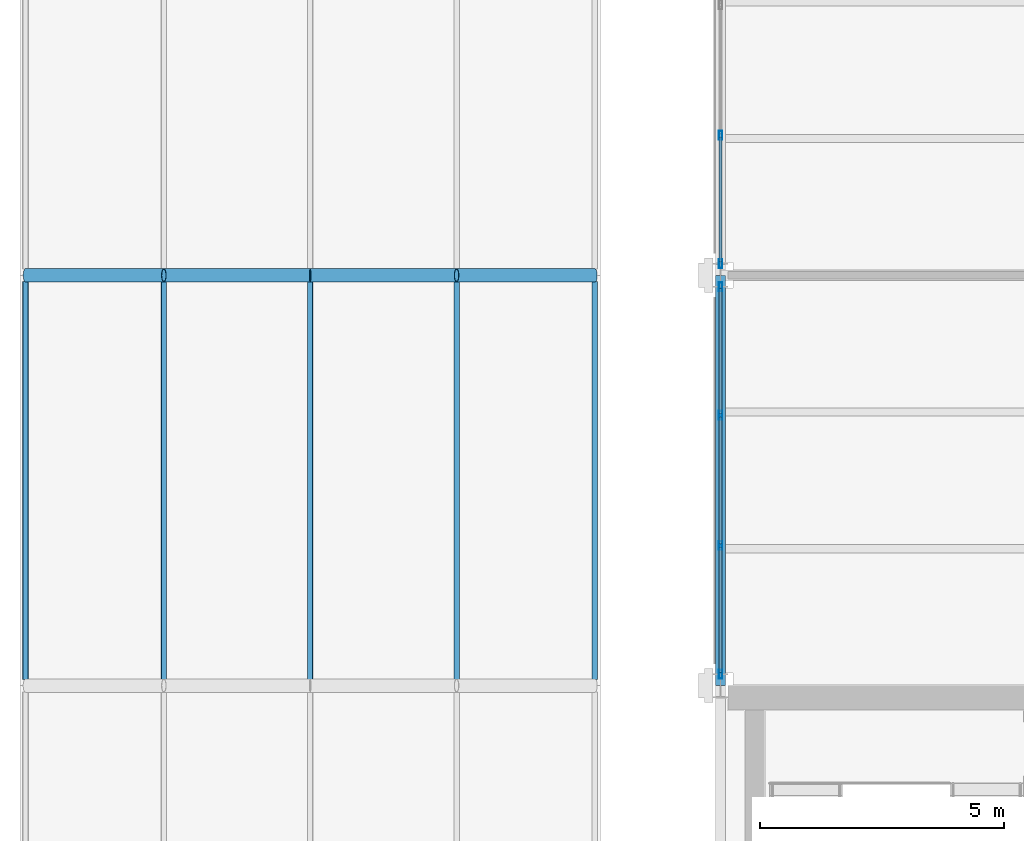
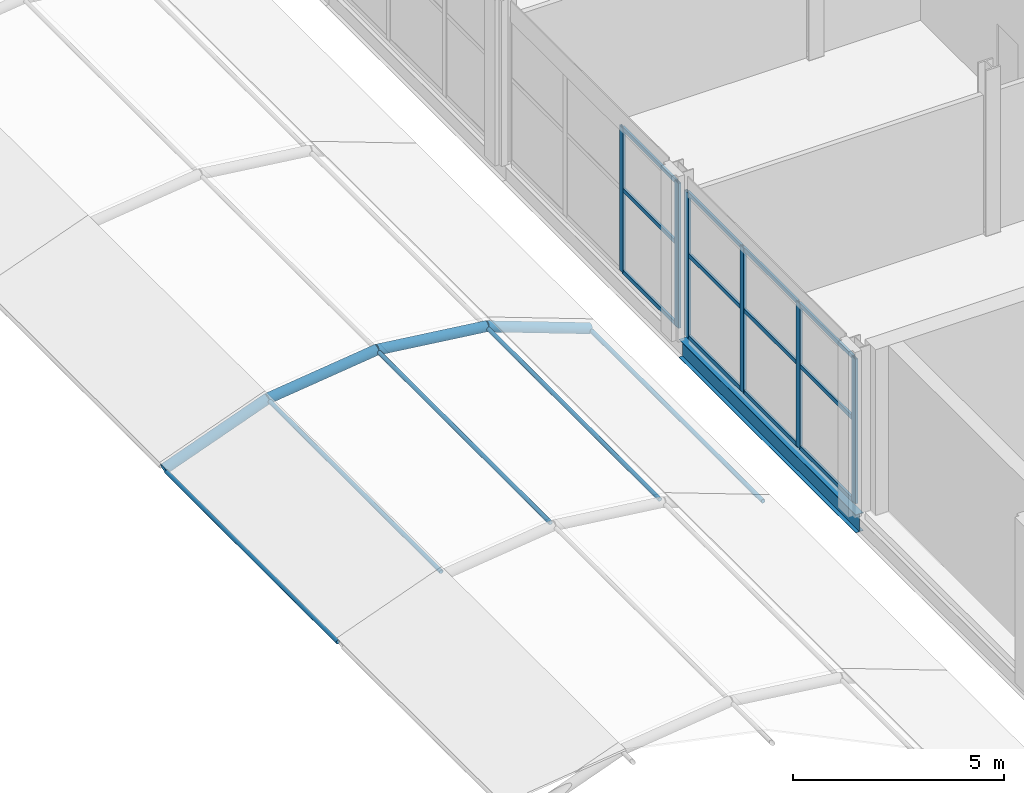
# One storey, part 118 of 167: 27 members, 1 beam, 2 elements without a shape of their own.
"""IFC4 building model written with IfcOpenShell, lengths in metres."""

from ifc_helpers import new_model, si_unit, direction, frame, origin, origin_2d, place, context, subcontext, project, spatial, hollow_rectangle, hollow_circle, i_section, extrude, material, material_profile, profile_set, type_object, element, aggregate, save


model = new_model("IFC4")

# Units and contexts
model_context = context("Model", 3, precision=1e-05, world=origin(), true_north=direction((0.0, 1.0)))
body_context = subcontext(model_context, "Body", "Model", "MODEL_VIEW")
ifc_project = project(units=[si_unit("LENGTHUNIT", "METRE"), si_unit("AREAUNIT", "SQUARE_METRE"), si_unit("VOLUMEUNIT", "CUBIC_METRE"), si_unit("PLANEANGLEUNIT", "RADIAN"), si_unit("MASSUNIT", "GRAM", prefix="KILO")], contexts=[model_context])

# Site, building, storey
site_placement = place(None, origin())
site = spatial("IfcSite", under=ifc_project, at=site_placement, CompositionType="ELEMENT")
building_placement = place(site_placement, origin())
building = spatial("IfcBuilding", under=site, at=building_placement, Name="Catenary Quay Ferry Terminal", CompositionType="ELEMENT")
storey_placement = place(building_placement, frame((0.0, 0.0, 6.0)))
storey = spatial("IfcBuildingStorey", under=building, at=storey_placement, Name="L01", CompositionType="ELEMENT", Elevation=6.0)

# Beam
ifc_material_1 = material(Name="Steel S355", Category="steel")
ifc_material_profile_1 = material_profile(ifc_material_1, i_section(OverallWidth=0.208740234375, OverallDepth=0.5283203125, WebThickness=0.009521484375, FlangeThickness=0.01318359375, at=origin_2d()), Name="UB 533x210x82")
ifc_profile_set_1 = profile_set([ifc_material_profile_1], Name="Steel S355")
beam_type = type_object("IfcBeamType", Name="B5 UB 533x210x82", PredefinedType="BEAM", material=ifc_profile_set_1)
beam_placement = place(storey_placement, frame((25.199951171875, 168.0, -0.464111328125), z_axis=(0.0, 1.0, 0.0), x_axis=(-1.0, 0.0, 0.0)))
element("IfcBeam", 1, at=beam_placement, inside=storey, type_object=beam_type, Name="Beam B5-023", PredefinedType="BEAM", context=body_context, shape_type="SweptSolid", body=[
    extrude(i_section(OverallWidth=0.208740234375, OverallDepth=0.5283203125, WebThickness=0.009521484375, FlangeThickness=0.01318359375, at=origin_2d()), origin(), (0.0, 0.0, 1.0), 8.39990234375),
])

# Curtain wall, members
ifc_material_2 = material(Name="Aluminium and glass", Category="aluminium")
curtain_wall_type = type_object("IfcCurtainWallType", Name="CWW2", PredefinedType="NOTDEFINED", material=ifc_material_2)
curtain_wall_1_placement = place(storey_placement, origin())
curtain_wall_1 = element("IfcCurtainWall", 2, at=curtain_wall_1_placement, inside=storey, type_object=curtain_wall_type, Name="Wing curtain wall CW124", PredefinedType="NOTDEFINED")
ifc_material_3 = material(Name="Aluminium", Category="aluminium")
ifc_material_profile_2 = material_profile(ifc_material_3, hollow_rectangle(XDim=0.070068359375, YDim=0.179931640625, WallThickness=0.006103515625, at=origin_2d()), Name="MU3")
ifc_profile_set_2 = profile_set([ifc_material_profile_2], Name="Aluminium")
member_type_1 = type_object("IfcMemberType", Name="MU3", PredefinedType="MULLION", material=ifc_profile_set_2)
member_1_placement = place(storey_placement, frame((25.199951171875, 168.235107421875, 0.0), z_axis=(0.0, 0.0, 1.0), x_axis=(-1.0, 0.0, 0.0)))
member_1 = element("IfcMember", 3, at=member_1_placement, type_object=member_type_1, Name="CW124 mullion 1", PredefinedType="MULLION", context=body_context, shape_type="SweptSolid", body=[
    extrude(hollow_rectangle(XDim=0.070068359375, YDim=0.179931640625, WallThickness=0.006103515625, at=origin_2d()), origin(), (0.0, 0.0, 1.0), 4.199951171875),
])
member_2_placement = place(storey_placement, frame((25.199951171875, 170.86669921875, 0.0), z_axis=(0.0, 0.0, 1.0), x_axis=(-1.0, 0.0, 0.0)))
member_2 = element("IfcMember", 4, at=member_2_placement, type_object=member_type_1, Name="CW124 mullion 2", PredefinedType="MULLION", context=body_context, shape_type="SweptSolid", body=[
    extrude(hollow_rectangle(XDim=0.070068359375, YDim=0.179931640625, WallThickness=0.006103515625, at=origin_2d()), origin(), (0.0, 0.0, 1.0), 4.199951171875),
])
member_3_placement = place(storey_placement, frame((25.199951171875, 173.533447265625, 0.0), z_axis=(0.0, 0.0, 1.0), x_axis=(-1.0, 0.0, 0.0)))
member_3 = element("IfcMember", 5, at=member_3_placement, type_object=member_type_1, Name="CW124 mullion 3", PredefinedType="MULLION", context=body_context, shape_type="SweptSolid", body=[
    extrude(hollow_rectangle(XDim=0.070068359375, YDim=0.179931640625, WallThickness=0.006103515625, at=origin_2d()), origin(), (0.0, 0.0, 1.0), 4.199951171875),
])
member_4_placement = place(storey_placement, frame((25.199951171875, 176.1650390625, 0.0), z_axis=(0.0, 0.0, 1.0), x_axis=(-1.0, 0.0, 0.0)))
member_4 = element("IfcMember", 6, at=member_4_placement, type_object=member_type_1, Name="CW124 mullion 4", PredefinedType="MULLION", context=body_context, shape_type="SweptSolid", body=[
    extrude(hollow_rectangle(XDim=0.070068359375, YDim=0.179931640625, WallThickness=0.006103515625, at=origin_2d()), origin(), (0.0, 0.0, 1.0), 4.199951171875),
])

curtain_wall_2_placement = place(storey_placement, origin())
curtain_wall_2 = element("IfcCurtainWall", 7, at=curtain_wall_2_placement, inside=storey, type_object=curtain_wall_type, Name="Wing curtain wall CW125", PredefinedType="NOTDEFINED")
member_5_placement = place(storey_placement, frame((25.199951171875, 176.635009765625, 0.0), z_axis=(0.0, 0.0, 1.0), x_axis=(-1.0, 0.0, 0.0)))
member_5 = element("IfcMember", 8, at=member_5_placement, type_object=member_type_1, Name="CW125 mullion 1", PredefinedType="MULLION", context=body_context, shape_type="SweptSolid", body=[
    extrude(hollow_rectangle(XDim=0.070068359375, YDim=0.179931640625, WallThickness=0.006103515625, at=origin_2d()), origin(), (0.0, 0.0, 1.0), 4.199951171875),
])
member_6_placement = place(storey_placement, frame((25.199951171875, 179.2666015625, 0.0), z_axis=(0.0, 0.0, 1.0), x_axis=(-1.0, 0.0, 0.0)))
member_6 = element("IfcMember", 9, at=member_6_placement, type_object=member_type_1, Name="CW125 mullion 2", PredefinedType="MULLION", context=body_context, shape_type="SweptSolid", body=[
    extrude(hollow_rectangle(XDim=0.070068359375, YDim=0.179931640625, WallThickness=0.006103515625, at=origin_2d()), origin(), (0.0, 0.0, 1.0), 4.199951171875),
])

# Members
ifc_material_4 = material(Name="Steel S355", Category="steel")
ifc_material_profile_3 = material_profile(ifc_material_4, hollow_circle(Radius=0.05712890625, WallThickness=0.00634765625, at=origin_2d()), Name="CHS 114.3x6.3")
ifc_profile_set_3 = profile_set([ifc_material_profile_3], Name="Steel S355")
member_type_2 = type_object("IfcMemberType", Name="PU2 CHS 114.3x6.3", PredefinedType="PURLIN", material=ifc_profile_set_3)
for number, where, z_axis, x_axis, name in (
    (10, (10.970947265625, 168.1298828125, 0.98388671875), (0.0, 1.0, 0.0), (-1.0, 0.0, 0.0), "Purlin PU-FC-13-01"),
    (11, (13.802978515625, 168.1298828125, 2.031005859375), (0.0, 1.0, 0.0), (-1.0, 0.0, 0.0), "Purlin PU-FC-13-02"),
    (12, (16.800048828125, 168.1298828125, 2.39990234375), (0.0, 1.0, 0.0), (-1.0, 0.0, 0.0), "Purlin PU-FC-13-03"),
    (13, (19.797119140625, 168.1298828125, 2.031005859375), (0.0, 1.0, 0.0), (-1.0, 0.0, 0.0), "Purlin PU-FC-13-04"),
    (14, (22.62890625, 168.1298828125, 0.98388671875), (0.0, 1.0, 0.0), (-1.0, 0.0, 0.0), "Purlin PU-FC-13-05"),
):
    element("IfcMember", number, at=place(storey_placement, frame(where, z_axis=z_axis, x_axis=x_axis)), inside=storey, type_object=member_type_2, Name=name, PredefinedType="PURLIN", context=body_context, shape_type="SweptSolid", body=[
        extrude(hollow_circle(Radius=0.05712890625, WallThickness=0.00634765625, at=origin_2d()), origin(), (0.0, 0.0, 1.0), 8.14013671875),
    ])

# Member
ifc_material_5 = material(Name="Aluminium", Category="aluminium")
ifc_material_profile_4 = material_profile(ifc_material_5, hollow_rectangle(XDim=0.06005859375, YDim=0.1201171875, WallThickness=0.0048828125, at=origin_2d()), Name="TR3")
ifc_profile_set_4 = profile_set([ifc_material_profile_4], Name="Aluminium")
member_type_3 = type_object("IfcMemberType", Name="TR3", PredefinedType="USERDEFINED", material=ifc_profile_set_4)
member_7_placement = place(storey_placement, frame((25.199951171875, 168.27001953125, 0.030029296875), z_axis=(0.0, 1.0, 0.0), x_axis=(-1.0, 0.0, 0.0)))
member_7 = element("IfcMember", 15, at=member_7_placement, type_object=member_type_3, Name="CW124 transom 1.1", ObjectType="TRANSOM", PredefinedType="USERDEFINED", context=body_context, shape_type="SweptSolid", body=[
    extrude(hollow_rectangle(XDim=0.06005859375, YDim=0.1201171875, WallThickness=0.0048828125, at=origin_2d()), origin(), (0.0, 0.0, 1.0), 2.561767578125),
])

member_8_placement = place(storey_placement, frame((25.199951171875, 168.27001953125, 2.39990234375), z_axis=(0.0, 1.0, 0.0), x_axis=(-1.0, 0.0, 0.0)))
member_8 = element("IfcMember", 16, at=member_8_placement, type_object=member_type_3, Name="CW124 transom 1.2", ObjectType="TRANSOM", PredefinedType="USERDEFINED", context=body_context, shape_type="SweptSolid", body=[
    extrude(hollow_rectangle(XDim=0.06005859375, YDim=0.1201171875, WallThickness=0.0048828125, at=origin_2d()), origin(), (0.0, 0.0, 1.0), 2.561767578125),
])

member_9_placement = place(storey_placement, frame((25.199951171875, 168.27001953125, 4.169921875), z_axis=(0.0, 1.0, 0.0), x_axis=(-1.0, 0.0, 0.0)))
member_9 = element("IfcMember", 17, at=member_9_placement, type_object=member_type_3, Name="CW124 transom 1.3", ObjectType="TRANSOM", PredefinedType="USERDEFINED", context=body_context, shape_type="SweptSolid", body=[
    extrude(hollow_rectangle(XDim=0.06005859375, YDim=0.1201171875, WallThickness=0.0048828125, at=origin_2d()), origin(), (0.0, 0.0, 1.0), 2.561767578125),
])

member_10_placement = place(storey_placement, frame((25.199951171875, 170.901611328125, 0.030029296875), z_axis=(0.0, 1.0, 0.0), x_axis=(-1.0, 0.0, 0.0)))
member_10 = element("IfcMember", 18, at=member_10_placement, type_object=member_type_3, Name="CW124 transom 2.1", ObjectType="TRANSOM", PredefinedType="USERDEFINED", context=body_context, shape_type="SweptSolid", body=[
    extrude(hollow_rectangle(XDim=0.06005859375, YDim=0.1201171875, WallThickness=0.0048828125, at=origin_2d()), origin(), (0.0, 0.0, 1.0), 2.5966796875),
])

member_11_placement = place(storey_placement, frame((25.199951171875, 170.901611328125, 2.39990234375), z_axis=(0.0, 1.0, 0.0), x_axis=(-1.0, 0.0, 0.0)))
member_11 = element("IfcMember", 19, at=member_11_placement, type_object=member_type_3, Name="CW124 transom 2.2", ObjectType="TRANSOM", PredefinedType="USERDEFINED", context=body_context, shape_type="SweptSolid", body=[
    extrude(hollow_rectangle(XDim=0.06005859375, YDim=0.1201171875, WallThickness=0.0048828125, at=origin_2d()), origin(), (0.0, 0.0, 1.0), 2.5966796875),
])

member_12_placement = place(storey_placement, frame((25.199951171875, 170.901611328125, 4.169921875), z_axis=(0.0, 1.0, 0.0), x_axis=(-1.0, 0.0, 0.0)))
member_12 = element("IfcMember", 20, at=member_12_placement, type_object=member_type_3, Name="CW124 transom 2.3", ObjectType="TRANSOM", PredefinedType="USERDEFINED", context=body_context, shape_type="SweptSolid", body=[
    extrude(hollow_rectangle(XDim=0.06005859375, YDim=0.1201171875, WallThickness=0.0048828125, at=origin_2d()), origin(), (0.0, 0.0, 1.0), 2.5966796875),
])

member_13_placement = place(storey_placement, frame((25.199951171875, 173.568359375, 0.030029296875), z_axis=(0.0, 1.0, 0.0), x_axis=(-1.0, 0.0, 0.0)))
member_13 = element("IfcMember", 21, at=member_13_placement, type_object=member_type_3, Name="CW124 transom 3.1", ObjectType="TRANSOM", PredefinedType="USERDEFINED", context=body_context, shape_type="SweptSolid", body=[
    extrude(hollow_rectangle(XDim=0.06005859375, YDim=0.1201171875, WallThickness=0.0048828125, at=origin_2d()), origin(), (0.0, 0.0, 1.0), 2.5615234375),
])

member_14_placement = place(storey_placement, frame((25.199951171875, 173.568359375, 2.39990234375), z_axis=(0.0, 1.0, 0.0), x_axis=(-1.0, 0.0, 0.0)))
member_14 = element("IfcMember", 22, at=member_14_placement, type_object=member_type_3, Name="CW124 transom 3.2", ObjectType="TRANSOM", PredefinedType="USERDEFINED", context=body_context, shape_type="SweptSolid", body=[
    extrude(hollow_rectangle(XDim=0.06005859375, YDim=0.1201171875, WallThickness=0.0048828125, at=origin_2d()), origin(), (0.0, 0.0, 1.0), 2.5615234375),
])

member_15_placement = place(storey_placement, frame((25.199951171875, 173.568359375, 4.169921875), z_axis=(0.0, 1.0, 0.0), x_axis=(-1.0, 0.0, 0.0)))
member_15 = element("IfcMember", 23, at=member_15_placement, type_object=member_type_3, Name="CW124 transom 3.3", ObjectType="TRANSOM", PredefinedType="USERDEFINED", context=body_context, shape_type="SweptSolid", body=[
    extrude(hollow_rectangle(XDim=0.06005859375, YDim=0.1201171875, WallThickness=0.0048828125, at=origin_2d()), origin(), (0.0, 0.0, 1.0), 2.5615234375),
])

aggregate(curtain_wall_1, [member_1, member_2, member_3, member_4, member_7, member_8, member_9, member_10, member_11, member_12, member_13, member_14, member_15])

member_16_placement = place(storey_placement, frame((25.199951171875, 176.669921875, 0.030029296875), z_axis=(0.0, 1.0, 0.0), x_axis=(-1.0, 0.0, 0.0)))
member_16 = element("IfcMember", 24, at=member_16_placement, type_object=member_type_3, Name="CW125 transom 1.1", ObjectType="TRANSOM", PredefinedType="USERDEFINED", context=body_context, shape_type="SweptSolid", body=[
    extrude(hollow_rectangle(XDim=0.06005859375, YDim=0.1201171875, WallThickness=0.0048828125, at=origin_2d()), origin(), (0.0, 0.0, 1.0), 2.561767578125),
])

member_17_placement = place(storey_placement, frame((25.199951171875, 176.669921875, 2.39990234375), z_axis=(0.0, 1.0, 0.0), x_axis=(-1.0, 0.0, 0.0)))
member_17 = element("IfcMember", 25, at=member_17_placement, type_object=member_type_3, Name="CW125 transom 1.2", ObjectType="TRANSOM", PredefinedType="USERDEFINED", context=body_context, shape_type="SweptSolid", body=[
    extrude(hollow_rectangle(XDim=0.06005859375, YDim=0.1201171875, WallThickness=0.0048828125, at=origin_2d()), origin(), (0.0, 0.0, 1.0), 2.561767578125),
])

member_18_placement = place(storey_placement, frame((25.199951171875, 176.669921875, 4.169921875), z_axis=(0.0, 1.0, 0.0), x_axis=(-1.0, 0.0, 0.0)))
member_18 = element("IfcMember", 26, at=member_18_placement, type_object=member_type_3, Name="CW125 transom 1.3", ObjectType="TRANSOM", PredefinedType="USERDEFINED", context=body_context, shape_type="SweptSolid", body=[
    extrude(hollow_rectangle(XDim=0.06005859375, YDim=0.1201171875, WallThickness=0.0048828125, at=origin_2d()), origin(), (0.0, 0.0, 1.0), 2.561767578125),
])

aggregate(curtain_wall_2, [member_5, member_6, member_16, member_17, member_18])

# Members
ifc_material_6 = material(Name="Steel S355", Category="steel")
ifc_material_profile_5 = material_profile(ifc_material_6, hollow_circle(Radius=0.136474609375, WallThickness=0.012451171875, at=origin_2d()), Name="CHS 273x12.5")
ifc_profile_set_5 = profile_set([ifc_material_profile_5], Name="Steel S355")
member_type_4 = type_object("IfcMemberType", Name="VR2 CHS 273x12.5", PredefinedType="RAFTER", material=ifc_profile_set_5)
member_19_placement = place(storey_placement, frame((10.970947265625, 176.39990234375, 0.98388671875), z_axis=(0.937940762231, 0.0, 0.346795511139), x_axis=(0.0, 1.0, 0.0)))
element("IfcMember", 27, at=member_19_placement, inside=storey, type_object=member_type_4, Name="rib FC-14-02", PredefinedType="RAFTER", context=body_context, shape_type="SweptSolid", body=[
    extrude(hollow_circle(Radius=0.136474609375, WallThickness=0.012451171875, at=origin_2d()), origin(), (0.0, 0.0, 1.0), 3.01953125),
])
for number, where, z_axis, x_axis, name in (
    (28, (13.802978515625, 176.39990234375, 2.031005859375), (0.992509955251, 0.0, 0.122163778298), (0.0, 1.0, 0.0), "rib FC-14-03"),
    (29, (16.800048828125, 176.39990234375, 2.39990234375), (0.992509955251, 0.0, -0.122163778298), (0.0, 1.0, 0.0), "rib FC-14-04"),
):
    element("IfcMember", number, at=place(storey_placement, frame(where, z_axis=z_axis, x_axis=x_axis)), inside=storey, type_object=member_type_4, Name=name, PredefinedType="RAFTER", context=body_context, shape_type="SweptSolid", body=[
        extrude(hollow_circle(Radius=0.136474609375, WallThickness=0.012451171875, at=origin_2d()), origin(), (0.0, 0.0, 1.0), 3.019775390625),
    ])
member_20_placement = place(storey_placement, frame((19.797119140625, 176.39990234375, 2.031005859375), z_axis=(0.93793103669, 0.0, -0.346821813636), x_axis=(0.0, 1.0, 0.0)))
element("IfcMember", 30, at=member_20_placement, inside=storey, type_object=member_type_4, Name="rib FC-14-05", PredefinedType="RAFTER", context=body_context, shape_type="SweptSolid", body=[
    extrude(hollow_circle(Radius=0.136474609375, WallThickness=0.012451171875, at=origin_2d()), origin(), (0.0, 0.0, 1.0), 3.019287109375),
])

save(model, "model.ifc")
